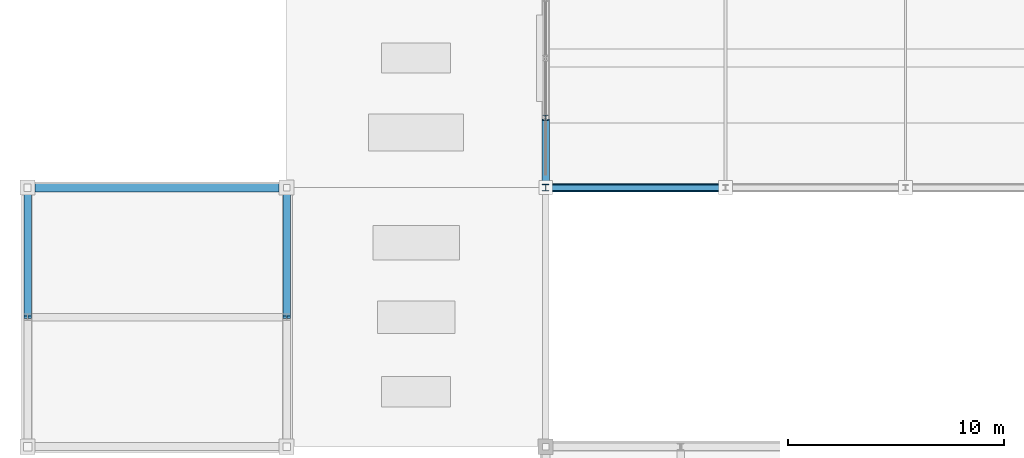
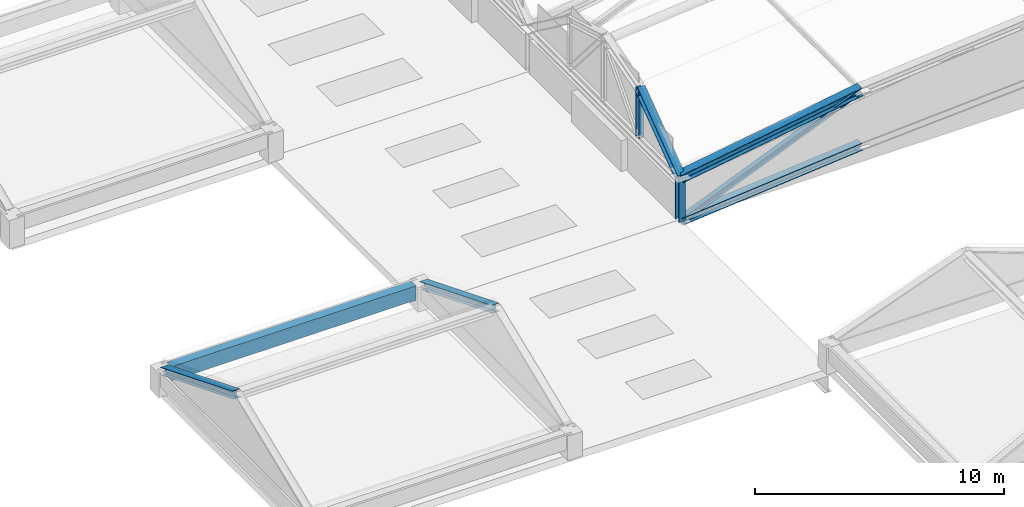
# One storey, part 9 of 117: 8 members, 1 beam.
"""IFC4 building model written with IfcOpenShell, lengths in metres."""

from ifc_helpers import new_model, si_unit, direction, frame, origin, origin_2d, place, context, subcontext, project, spatial, rectangle, i_section, extrude, material, material_profile, profile_set, type_object, element, save


model = new_model("IFC4")

# Units and contexts
model_context = context("Model", 3, precision=1e-05, world=origin(), true_north=direction((0.0, 1.0)))
body_context = subcontext(model_context, "Body", "Model", "MODEL_VIEW")
ifc_project = project(units=[si_unit("LENGTHUNIT", "METRE"), si_unit("AREAUNIT", "SQUARE_METRE"), si_unit("VOLUMEUNIT", "CUBIC_METRE"), si_unit("PLANEANGLEUNIT", "RADIAN"), si_unit("MASSUNIT", "GRAM", prefix="KILO")], contexts=[model_context])

# Site, building, storey
site_placement = place(None, origin())
site = spatial("IfcSite", under=ifc_project, at=site_placement, CompositionType="ELEMENT")
building_placement = place(site_placement, origin())
building = spatial("IfcBuilding", under=site, at=building_placement, Name="Kazenohara Klinker Stadium", CompositionType="ELEMENT")
storey_placement = place(building_placement, frame((0.0, 0.0, 31.199951171875)))
storey = spatial("IfcBuildingStorey", under=building, at=storey_placement, Name="RF", CompositionType="ELEMENT", Elevation=31.199951171875)

# Beam
ifc_material_1 = material(Name="Concrete C40/50", Category="concrete")
ifc_material_profile_1 = material_profile(ifc_material_1, rectangle(XDim=0.39990234375, YDim=0.699951171875, at=origin_2d()), Name="RC-BM-400x700")
ifc_profile_set_1 = profile_set([ifc_material_profile_1], Name="Concrete C40/50")
beam_type = type_object("IfcBeamType", Name="BM-RC04", PredefinedType="BEAM", material=ifc_profile_set_1)
beam_placement = place(storey_placement, frame((0.35009765625, 48.0, 0.85009765625), z_axis=(1.0, 0.0, 0.0), x_axis=(0.0, 1.0, 0.0)))
element("IfcBeam", 1, at=beam_placement, inside=storey, type_object=beam_type, Name="Turret crown eave girder BG04 RF X0-4", PredefinedType="BEAM", context=body_context, shape_type="SweptSolid", body=[
    extrude(rectangle(XDim=0.39990234375, YDim=0.699951171875, at=origin_2d()), origin(), (0.0, 0.0, 1.0), 11.2998046875),
])

# Members
ifc_material_2 = material(Name="Steel S355", Category="steel")
ifc_material_profile_2 = material_profile(ifc_material_2, i_section(OverallWidth=0.25, OverallDepth=0.25, WebThickness=0.009033203125, FlangeThickness=0.013916015625, FilletRadius=0.012939453125, at=origin_2d()), Name="H-250x250x9x14")
ifc_profile_set_2 = profile_set([ifc_material_profile_2], Name="Steel S355")
member_type_1 = type_object("IfcMemberType", Name="MEM-BRC02", PredefinedType="BRACE", material=ifc_profile_set_2)
member_1_placement = place(storey_placement, frame((24.0, 48.0, -0.02001953125), z_axis=(0.923164118975, 0.0, 0.384406047608), x_axis=(0.0, 1.0, 0.0)))
element("IfcMember", 2, at=member_1_placement, inside=storey, type_object=member_type_1, Name="ROOF TRUSS RT-W01 web diagonal 1", PredefinedType="BRACE", context=body_context, shape_type="SweptSolid", body=[
    extrude(i_section(OverallWidth=0.25, OverallDepth=0.25, WebThickness=0.009033203125, FlangeThickness=0.013916015625, FilletRadius=0.012939453125, at=origin_2d()), origin(), (0.0, 0.0, 1.0), 9.02685546875),
])
ifc_material_profile_3 = material_profile(ifc_material_2, i_section(OverallWidth=0.39990234375, OverallDepth=0.39990234375, WebThickness=0.012939453125, FlangeThickness=0.02099609375, FilletRadius=0.02197265625, at=origin_2d()), Name="H-400x400x13x21")
ifc_profile_set_3 = profile_set([ifc_material_profile_3], Name="Steel S355")
member_type_2 = type_object("IfcMemberType", Name="MEM-CHD01", PredefinedType="CHORD", material=ifc_profile_set_3)
member_2_placement = place(storey_placement, frame((24.0, 48.0, 2.10009765625), z_axis=(0.987133250968, 0.0, 0.159899796227), x_axis=(0.0, 1.0, 0.0)))
element("IfcMember", 3, at=member_2_placement, inside=storey, type_object=member_type_2, Name="ROOF TRUSS RT-W01 top arched chord 1", PredefinedType="CHORD", context=body_context, shape_type="SweptSolid", body=[
    extrude(i_section(OverallWidth=0.39990234375, OverallDepth=0.39990234375, WebThickness=0.012939453125, FlangeThickness=0.02099609375, FilletRadius=0.02197265625, at=origin_2d()), origin(), (0.0, 0.0, 1.0), 8.44189453125),
])
ifc_material_profile_4 = material_profile(ifc_material_2, i_section(OverallWidth=0.35009765625, OverallDepth=0.35009765625, WebThickness=0.011962890625, FlangeThickness=0.01904296875, FilletRadius=0.012939453125, at=origin_2d()), Name="H-350x350x12x19")
ifc_profile_set_4 = profile_set([ifc_material_profile_4], Name="Steel S355")
member_type_3 = type_object("IfcMemberType", Name="MEM-CHD02", PredefinedType="CHORD", material=ifc_profile_set_4)
for number, where, z_axis, x_axis, name in (
    (4, (0.0, 47.75, 1.179931640625), (0.0, -0.927356425175, 0.374179182593), (1.0, 0.0, 0.0), "Crown gable rafter WBST-03 W North"),
    (5, (12.0, 47.75, 1.179931640625), (0.0, -0.927356425175, 0.374179182593), (1.0, 0.0, 0.0), "Crown gable rafter WBST-03 E North"),
):
    element("IfcMember", number, at=place(storey_placement, frame(where, z_axis=z_axis, x_axis=x_axis)), inside=storey, type_object=member_type_3, Name=name, PredefinedType="CHORD", context=body_context, shape_type="SweptSolid", body=[
        extrude(i_section(OverallWidth=0.35009765625, OverallDepth=0.35009765625, WebThickness=0.011962890625, FlangeThickness=0.01904296875, FilletRadius=0.012939453125, at=origin_2d()), origin(), (0.0, 0.0, 1.0), 6.200439453125),
    ])
member_3_placement = place(storey_placement, frame((24.0, 48.0, -0.02001953125), z_axis=(0.995757965817, 0.0, 0.092011268397), x_axis=(0.0, 1.0, 0.0)))
element("IfcMember", 6, at=member_3_placement, inside=storey, type_object=member_type_3, Name="ROOF TRUSS RT-W01 bottom arched chord 1", PredefinedType="CHORD", context=body_context, shape_type="SweptSolid", body=[
    extrude(i_section(OverallWidth=0.35009765625, OverallDepth=0.35009765625, WebThickness=0.011962890625, FlangeThickness=0.01904296875, FilletRadius=0.012939453125, at=origin_2d()), origin(), (0.0, 0.0, 1.0), 8.36865234375),
])
member_4_placement = place(storey_placement, frame((24.0, 48.0, 2.10009765625), z_axis=(0.0, 0.803567919639, 0.595213069856), x_axis=(-1.0, 0.0, 0.0)))
element("IfcMember", 7, at=member_4_placement, inside=storey, type_object=member_type_3, Name="Barrel arch top rib TC02 W-01-N0-S1", PredefinedType="CHORD", context=body_context, shape_type="SweptSolid", body=[
    extrude(i_section(OverallWidth=0.35009765625, OverallDepth=0.35009765625, WebThickness=0.011962890625, FlangeThickness=0.01904296875, FilletRadius=0.012939453125, at=origin_2d()), origin(), (0.0, 0.0, 1.0), 4.031982421875),
])
ifc_material_profile_5 = material_profile(ifc_material_2, i_section(OverallWidth=0.300048828125, OverallDepth=0.300048828125, WebThickness=0.010009765625, FlangeThickness=0.014892578125, FilletRadius=0.012939453125, at=origin_2d()), Name="H-300x300x10x15")
ifc_profile_set_5 = profile_set([ifc_material_profile_5], Name="Steel S355")
member_type_4 = type_object("IfcMemberType", Name="MEM-STR01", PredefinedType="STRUT", material=ifc_profile_set_5)
member_5_placement = place(storey_placement, frame((24.0, 48.0, -0.02001953125), z_axis=(0.0, 0.0, 1.0), x_axis=(1.0, 0.0, 0.0)))
element("IfcMember", 8, at=member_5_placement, inside=storey, type_object=member_type_4, Name="ROOF TRUSS RT-W01 web post 1", PredefinedType="STRUT", context=body_context, shape_type="SweptSolid", body=[
    extrude(i_section(OverallWidth=0.300048828125, OverallDepth=0.300048828125, WebThickness=0.010009765625, FlangeThickness=0.014892578125, FilletRadius=0.012939453125, at=origin_2d()), origin(), (0.0, 0.0, 1.0), 2.1201171875),
])
ifc_material_profile_6 = material_profile(ifc_material_2, i_section(OverallWidth=0.25, OverallDepth=0.25, WebThickness=0.009033203125, FlangeThickness=0.013916015625, FilletRadius=0.012939453125, at=origin_2d()), Name="H-250x250x9x14")
ifc_profile_set_6 = profile_set([ifc_material_profile_6], Name="Steel S355")
member_type_5 = type_object("IfcMemberType", Name="MEM-STR02", PredefinedType="STRUT", material=ifc_profile_set_6)
member_6_placement = place(storey_placement, frame((24.0, 51.239990234375, 2.10009765625), z_axis=(0.0, 0.0, 1.0), x_axis=(1.0, 0.0, 0.0)))
element("IfcMember", 9, at=member_6_placement, inside=storey, type_object=member_type_5, Name="Barrel arch web post TS02 W-01-N0-P1", PredefinedType="STRUT", context=body_context, shape_type="SweptSolid", body=[
    extrude(i_section(OverallWidth=0.25, OverallDepth=0.25, WebThickness=0.009033203125, FlangeThickness=0.013916015625, FilletRadius=0.012939453125, at=origin_2d()), origin(), (0.0, 0.0, 1.0), 2.39990234375),
])

save(model, "model.ifc")
